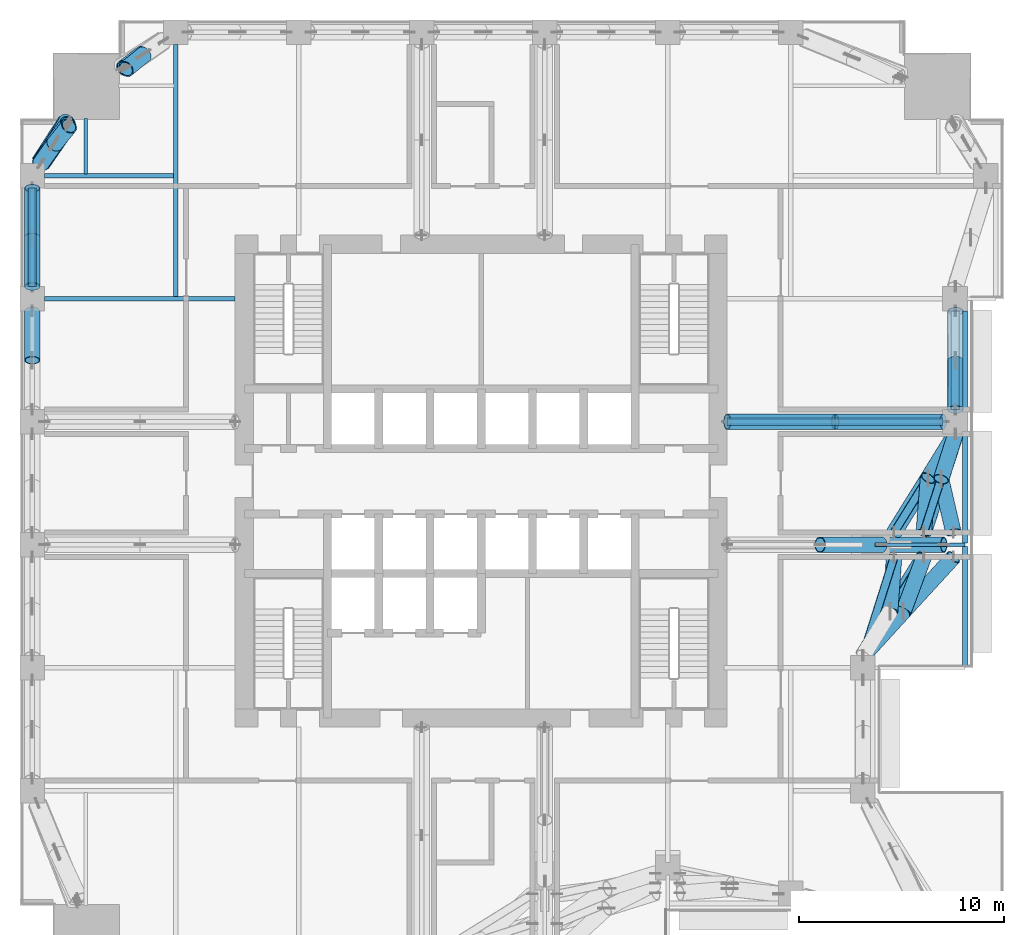
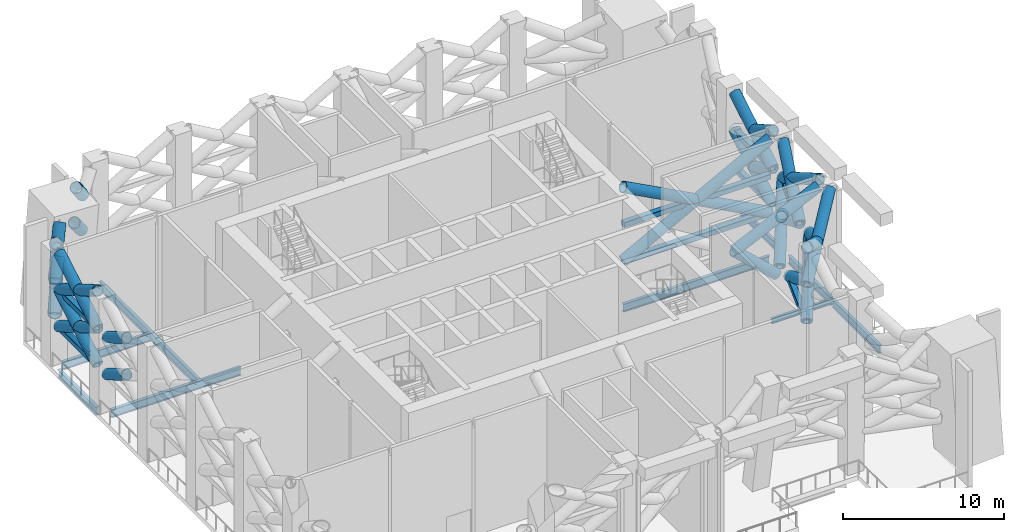
# One storey, part 4 of 18: 37 members, 22 beams.
"""IFC4 building model written with IfcOpenShell, lengths in metres."""

from ifc_helpers import new_model, si_unit, direction, frame, origin, origin_2d, place, context, subcontext, project, spatial, hollow_rectangle, hollow_circle, i_section, extrude, material, material_profile, profile_set, type_object, element, save


model = new_model("IFC4")

# Units and contexts
model_context = context("Model", 3, precision=1e-05, world=origin(), true_north=direction((0.0, 1.0)))
body_context = subcontext(model_context, "Body", "Model", "MODEL_VIEW")
ifc_project = project(units=[si_unit("LENGTHUNIT", "METRE"), si_unit("AREAUNIT", "SQUARE_METRE"), si_unit("VOLUMEUNIT", "CUBIC_METRE"), si_unit("PLANEANGLEUNIT", "RADIAN"), si_unit("MASSUNIT", "GRAM", prefix="KILO")], contexts=[model_context])

# Site, building, storey
site_placement = place(None, origin())
site = spatial("IfcSite", under=ifc_project, at=site_placement, CompositionType="ELEMENT")
building_placement = place(site_placement, origin())
building = spatial("IfcBuilding", under=site, at=building_placement, Name="Amberfall Residences", CompositionType="ELEMENT")
storey_placement = place(building_placement, frame((0.0, 0.0, 69.699951171875)))
storey = spatial("IfcBuildingStorey", under=building, at=storey_placement, Name="L19", CompositionType="ELEMENT", Elevation=69.699951171875)

# Beams
ifc_material = material(Name="Steel S355", Category="steel")
ifc_material_profile_1 = material_profile(ifc_material, hollow_circle(Radius=0.457275390625, WallThickness=0.06005859375, at=origin_2d()), Name="CHS 914.4x60")
ifc_profile_set_1 = profile_set([ifc_material_profile_1], Name="Steel S355")
beam_type_1 = type_object("IfcBeamType", Name="Belt truss chord BT CHS 914.4x60", PredefinedType="BEAM", material=ifc_profile_set_1)
beam_1_placement = place(storey_placement, frame((54.30712890625, 63.068359375, 3.0), z_axis=(-0.538906970731, -0.842365287092, 0.0), x_axis=(0.842365287092, -0.538906970731, 0.0)))
element("IfcBeam", 1, at=beam_1_placement, inside=storey, type_object=beam_type_1, Name="Belt truss chord BT2 L19 NWW", PredefinedType="BEAM", context=body_context, shape_type="SweptSolid", body=[
    extrude(hollow_circle(Radius=0.457275390625, WallThickness=0.06005859375, at=origin_2d()), origin(), (0.0, 0.0, 1.0), 2.455322265625),
])
beam_2_placement = place(storey_placement, frame((54.351806640625, 62.94677734375, 5.646484375), z_axis=(-0.566730520096, -0.823903221011, 0.0), x_axis=(0.823903221011, -0.566730520096, 0.0)))
element("IfcBeam", 2, at=beam_2_placement, inside=storey, type_object=beam_type_1, Name="Belt truss chord BT2 L19 NWWm", PredefinedType="BEAM", context=body_context, shape_type="SweptSolid", body=[
    extrude(hollow_circle(Radius=0.457275390625, WallThickness=0.06005859375, at=origin_2d()), origin(), (0.0, 0.0, 1.0), 2.36279296875),
])
ifc_material_profile_2 = material_profile(ifc_material, hollow_rectangle(XDim=0.39990234375, YDim=0.39990234375, WallThickness=0.02001953125, InnerFilletRadius=0.02001953125, OuterFilletRadius=0.030029296875, at=origin_2d()), Name="RHS 400x400x20")
ifc_profile_set_2 = profile_set([ifc_material_profile_2], Name="Steel S355")
beam_type_2 = type_object("IfcBeamType", Name="Belt truss chord BT RHS 400x400x20", PredefinedType="BEAM", material=ifc_profile_set_2)
beam_3_placement = place(storey_placement, frame((93.117431640625, 37.0, 2.900146484375), z_axis=(0.302024639724, 0.95330011906, 0.0), x_axis=(-0.95330011906, 0.302024639724, 0.0)))
element("IfcBeam", 3, at=beam_3_placement, inside=storey, type_object=beam_type_2, Name="Belt truss chord BT3 L19 E2", PredefinedType="BEAM", context=body_context, shape_type="SweptSolid", body=[
    extrude(hollow_rectangle(XDim=0.39990234375, YDim=0.39990234375, WallThickness=0.02001953125, InnerFilletRadius=0.02001953125, OuterFilletRadius=0.030029296875, at=origin_2d()), origin(), (0.0, 0.0, 1.0), 5.03515625),
])
beam_4_placement = place(storey_placement, frame((93.13232421875, 37.0, 5.699951171875), z_axis=(0.524063588716, 0.851679138515, 0.0), x_axis=(-0.851679138515, 0.524063588716, 0.0)))
element("IfcBeam", 4, at=beam_4_placement, inside=storey, type_object=beam_type_2, Name="Belt truss chord BT3 L19 E2m", PredefinedType="BEAM", context=body_context, shape_type="SweptSolid", body=[
    extrude(hollow_rectangle(XDim=0.39990234375, YDim=0.39990234375, WallThickness=0.02001953125, InnerFilletRadius=0.02001953125, OuterFilletRadius=0.030029296875, at=origin_2d()), origin(), (0.0, 0.0, 1.0), 5.635986328125),
])
beam_5_placement = place(storey_placement, frame((94.63818359375, 43.0, 2.900146484375), z_axis=(0.527351028643, 0.849647510788, 0.0), x_axis=(-0.849647510788, 0.527351028643, 0.0)))
element("IfcBeam", 5, at=beam_5_placement, inside=storey, type_object=beam_type_2, Name="Belt truss chord BT3 L19 E3", PredefinedType="BEAM", context=body_context, shape_type="SweptSolid", body=[
    extrude(hollow_rectangle(XDim=0.39990234375, YDim=0.39990234375, WallThickness=0.02001953125, InnerFilletRadius=0.02001953125, OuterFilletRadius=0.030029296875, at=origin_2d()), origin(), (0.0, 0.0, 1.0), 5.6494140625),
])
beam_6_placement = place(storey_placement, frame((96.0859375, 43.0, 5.699951171875), z_axis=(0.306640649848, 0.951825357857, 0.0), x_axis=(-0.951825357857, 0.306640649848, 0.0)))
element("IfcBeam", 6, at=beam_6_placement, inside=storey, type_object=beam_type_2, Name="Belt truss chord BT3 L19 E3m", PredefinedType="BEAM", context=body_context, shape_type="SweptSolid", body=[
    extrude(hollow_rectangle(XDim=0.39990234375, YDim=0.39990234375, WallThickness=0.02001953125, InnerFilletRadius=0.02001953125, OuterFilletRadius=0.030029296875, at=origin_2d()), origin(), (0.0, 0.0, 1.0), 5.04296875),
])
for number, where, z_axis, x_axis, name in (
    (7, (97.617431640625, 49.0, 2.900146484375), (0.0, 1.0, 0.0), (-1.0, 0.0, 0.0), "Belt truss chord BT3 L19 E4"),
    (8, (97.63232421875, 49.0, 5.699951171875), (0.0, 1.0, 0.0), (-1.0, 0.0, 0.0), "Belt truss chord BT3 L19 E4m"),
    (9, (52.60009765625, 55.0, 2.900146484375), (0.0, 1.0, 0.0), (-1.0, 0.0, 0.0), "Belt truss chord BT3 L19 W5"),
    (10, (52.60009765625, 55.0, 5.699951171875), (0.0, 1.0, 0.0), (-1.0, 0.0, 0.0), "Belt truss chord BT3 L19 W5m"),
):
    element("IfcBeam", number, at=place(storey_placement, frame(where, z_axis=z_axis, x_axis=x_axis)), inside=storey, type_object=beam_type_2, Name=name, PredefinedType="BEAM", context=body_context, shape_type="SweptSolid", body=[
        extrude(hollow_rectangle(XDim=0.39990234375, YDim=0.39990234375, WallThickness=0.02001953125, InnerFilletRadius=0.02001953125, OuterFilletRadius=0.030029296875, at=origin_2d()), origin(), (0.0, 0.0, 1.0), 4.800048828125),
    ])

# Members
ifc_material_profile_3 = material_profile(ifc_material, hollow_circle(Radius=0.381103515625, WallThickness=0.0400390625, at=origin_2d()), Name="CHS 762x40")
ifc_profile_set_3 = profile_set([ifc_material_profile_3], Name="Steel S355")
member_type_1 = type_object("IfcMemberType", Name="Belt truss diagonal BT CHS 762x40", PredefinedType="BRACE", material=ifc_profile_set_3)
member_1_placement = place(storey_placement, frame((93.117431640625, 37.0, 2.900146484375), z_axis=(0.471183083884, 0.761899055205, 0.444405593057), x_axis=(-0.850499224082, 0.525976301592, 0.0)))
element("IfcMember", 11, at=member_1_placement, inside=storey, type_object=member_type_1, Name="Belt truss diagonal BT4 L19 E2d", PredefinedType="BRACE", context=body_context, shape_type="SweptSolid", body=[
    extrude(hollow_circle(Radius=0.381103515625, WallThickness=0.0400390625, at=origin_2d()), origin(), (0.0, 0.0, 1.0), 6.300048828125),
])
member_2_placement = place(storey_placement, frame((94.444091796875, 39.145263671875, 4.1513671875), z_axis=(0.06598896036, 0.902596169755, -0.425400530623), x_axis=(-0.997338117719, 0.072915560381, 0.0)))
element("IfcMember", 12, at=member_2_placement, inside=storey, type_object=member_type_1, Name="Belt truss diagonal BT4 L19 E2e2", PredefinedType="BRACE", context=body_context, shape_type="SweptSolid", body=[
    extrude(hollow_circle(Radius=0.381103515625, WallThickness=0.0400390625, at=origin_2d()), origin(), (0.0, 0.0, 1.0), 2.941162109375),
])
member_3_placement = place(storey_placement, frame((93.13232421875, 37.0, 5.699951171875), z_axis=(0.620901027344, 0.677105502169, 0.394981079517), x_axis=(-0.737034311282, 0.67585532771, 0.0)))
element("IfcMember", 13, at=member_3_placement, inside=storey, type_object=member_type_1, Name="Belt truss diagonal BT4 L19 E2du", PredefinedType="BRACE", context=body_context, shape_type="SweptSolid", body=[
    extrude(hollow_circle(Radius=0.381103515625, WallThickness=0.0400390625, at=origin_2d()), origin(), (0.0, 0.0, 1.0), 7.089111328125),
])
member_4_placement = place(storey_placement, frame((93.1474609375, 37.0, 8.5), z_axis=(0.592821379305, 0.65146351424, -0.473453378752), x_axis=(-0.739611206734, 0.673034369756, 0.0)))
element("IfcMember", 14, at=member_4_placement, inside=storey, type_object=member_type_1, Name="Belt truss diagonal BT4 L19 E2eu", PredefinedType="BRACE", context=body_context, shape_type="SweptSolid", body=[
    extrude(hollow_circle(Radius=0.381103515625, WallThickness=0.0400390625, at=origin_2d()), origin(), (0.0, 0.0, 1.0), 3.280517578125),
])
member_5_placement = place(storey_placement, frame((95.09228515625, 39.13720703125, 6.94677734375), z_axis=(0.32015599642, 0.857970872961, -0.401728912461), x_axis=(-0.936896293929, 0.349607400412, 0.0)))
element("IfcMember", 15, at=member_5_placement, inside=storey, type_object=member_type_1, Name="Belt truss diagonal BT4 L19 E2e2u", PredefinedType="BRACE", context=body_context, shape_type="SweptSolid", body=[
    extrude(hollow_circle(Radius=0.381103515625, WallThickness=0.0400390625, at=origin_2d()), origin(), (0.0, 0.0, 1.0), 3.103759765625),
])
member_6_placement = place(storey_placement, frame((94.63818359375, 43.0, 2.900146484375), z_axis=(0.47433956248, 0.760436247384, 0.443552356696), x_axis=(-0.848465887578, 0.529250070966, 0.0)))
element("IfcMember", 16, at=member_6_placement, inside=storey, type_object=member_type_1, Name="Belt truss diagonal BT4 L19 E3d", PredefinedType="BRACE", context=body_context, shape_type="SweptSolid", body=[
    extrude(hollow_circle(Radius=0.381103515625, WallThickness=0.0400390625, at=origin_2d()), origin(), (0.0, 0.0, 1.0), 6.312255859375),
])
member_7_placement = place(storey_placement, frame((96.0859375, 43.0, 5.699951171875), z_axis=(0.070854397795, 0.902356475894, -0.425126386767), x_axis=(-0.996931368583, 0.078280561674, 0.0)))
element("IfcMember", 17, at=member_7_placement, inside=storey, type_object=member_type_1, Name="Belt truss diagonal BT4 L19 E3e", PredefinedType="BRACE", context=body_context, shape_type="SweptSolid", body=[
    extrude(hollow_circle(Radius=0.381103515625, WallThickness=0.0400390625, at=origin_2d()), origin(), (0.0, 0.0, 1.0), 2.942626953125),
])
member_8_placement = place(storey_placement, frame((96.29443359375, 45.6552734375, 4.448974609375), z_axis=(0.447274041732, 0.725097334678, -0.523621797518), x_axis=(-0.851102330005, 0.524999832248, 0.0)))
element("IfcMember", 18, at=member_8_placement, inside=storey, type_object=member_type_1, Name="Belt truss diagonal BT4 L19 E3e2", PredefinedType="BRACE", context=body_context, shape_type="SweptSolid", body=[
    extrude(hollow_circle(Radius=0.381103515625, WallThickness=0.0400390625, at=origin_2d()), origin(), (0.0, 0.0, 1.0), 2.9580078125),
])
member_9_placement = place(storey_placement, frame((96.0859375, 43.0, 5.699951171875), z_axis=(0.270521565203, 0.831570433624, 0.485086277566), x_axis=(-0.950946236771, 0.309356194008, 0.0)))
element("IfcMember", 19, at=member_9_placement, inside=storey, type_object=member_type_1, Name="Belt truss diagonal BT4 L19 E3du", PredefinedType="BRACE", context=body_context, shape_type="SweptSolid", body=[
    extrude(hollow_circle(Radius=0.381103515625, WallThickness=0.0400390625, at=origin_2d()), origin(), (0.0, 0.0, 1.0), 5.772216796875),
])
member_10_placement = place(storey_placement, frame((97.533935546875, 43.0, 8.5), z_axis=(-0.202962322535, 0.878432138945, -0.432623708204), x_axis=(-0.974331082951, -0.225119836521, 0.0)))
element("IfcMember", 20, at=member_10_placement, inside=storey, type_object=member_type_1, Name="Belt truss diagonal BT4 L19 E3eu", PredefinedType="BRACE", context=body_context, shape_type="SweptSolid", body=[
    extrude(hollow_circle(Radius=0.381103515625, WallThickness=0.0400390625, at=origin_2d()), origin(), (0.0, 0.0, 1.0), 2.962646484375),
])
member_11_placement = place(storey_placement, frame((96.9326171875, 45.6025390625, 7.21826171875), z_axis=(0.25341217193, 0.795869839337, -0.549884960653), x_axis=(-0.952863195924, 0.303400279915, 0.0)))
element("IfcMember", 21, at=member_11_placement, inside=storey, type_object=member_type_1, Name="Belt truss diagonal BT4 L19 E3e2u", PredefinedType="BRACE", context=body_context, shape_type="SweptSolid", body=[
    extrude(hollow_circle(Radius=0.381103515625, WallThickness=0.0400390625, at=origin_2d()), origin(), (0.0, 0.0, 1.0), 2.76123046875),
])
member_12_placement = place(storey_placement, frame((97.617431640625, 49.0, 2.900146484375), z_axis=(0.002679995571, 0.863793326591, 0.503839167354), x_axis=(-0.999995187006, 0.003102573949, 0.0)))
element("IfcMember", 22, at=member_12_placement, inside=storey, type_object=member_type_1, Name="Belt truss diagonal BT4 L19 E4d", PredefinedType="BRACE", context=body_context, shape_type="SweptSolid", body=[
    extrude(hollow_circle(Radius=0.381103515625, WallThickness=0.0400390625, at=origin_2d()), origin(), (0.0, 0.0, 1.0), 5.556884765625),
])
member_13_placement = place(storey_placement, frame((97.63232421875, 49.0, 5.699951171875), z_axis=(-0.002724032978, 0.863782070187, -0.503858228937), x_axis=(-0.999995027405, -0.003153595712, 0.0)))
element("IfcMember", 23, at=member_13_placement, inside=storey, type_object=member_type_1, Name="Belt truss diagonal BT4 L19 E4e", PredefinedType="BRACE", context=body_context, shape_type="SweptSolid", body=[
    extrude(hollow_circle(Radius=0.381103515625, WallThickness=0.0400390625, at=origin_2d()), origin(), (0.0, 0.0, 1.0), 2.7783203125),
])
member_14_placement = place(storey_placement, frame((97.63232421875, 49.0, 5.699951171875), z_axis=(0.002723869304, 0.863774103061, 0.5038718879), x_axis=(-0.99999502791, 0.003153435315, 0.0)))
element("IfcMember", 24, at=member_14_placement, inside=storey, type_object=member_type_1, Name="Belt truss diagonal BT4 L19 E4du", PredefinedType="BRACE", context=body_context, shape_type="SweptSolid", body=[
    extrude(hollow_circle(Radius=0.381103515625, WallThickness=0.0400390625, at=origin_2d()), origin(), (0.0, 0.0, 1.0), 5.55712890625),
])
member_15_placement = place(storey_placement, frame((97.6474609375, 49.0, 8.5), z_axis=(-0.002724032978, 0.863782070187, -0.503858228937), x_axis=(-0.999995027405, -0.003153595712, 0.0)))
element("IfcMember", 25, at=member_15_placement, inside=storey, type_object=member_type_1, Name="Belt truss diagonal BT4 L19 E4eu", PredefinedType="BRACE", context=body_context, shape_type="SweptSolid", body=[
    extrude(hollow_circle(Radius=0.381103515625, WallThickness=0.0400390625, at=origin_2d()), origin(), (0.0, 0.0, 1.0), 2.7783203125),
])
member_16_placement = place(storey_placement, frame((52.60009765625, 51.39990234375, 4.300048828125), z_axis=(0.0, 0.863807581045, -0.503821856343), x_axis=(-1.0, 0.0, 0.0)))
element("IfcMember", 26, at=member_16_placement, inside=storey, type_object=member_type_1, Name="Belt truss diagonal BT4 L19 W4e2", PredefinedType="BRACE", context=body_context, shape_type="SweptSolid", body=[
    extrude(hollow_circle(Radius=0.381103515625, WallThickness=0.0400390625, at=origin_2d()), origin(), (0.0, 0.0, 1.0), 2.778564453125),
])
member_17_placement = place(storey_placement, frame((52.60009765625, 51.39990234375, 7.10009765625), z_axis=(0.0, 0.863769340651, -0.503887414163), x_axis=(-1.0, 0.0, 0.0)))
element("IfcMember", 27, at=member_17_placement, inside=storey, type_object=member_type_1, Name="Belt truss diagonal BT4 L19 W4e2u", PredefinedType="BRACE", context=body_context, shape_type="SweptSolid", body=[
    extrude(hollow_circle(Radius=0.381103515625, WallThickness=0.0400390625, at=origin_2d()), origin(), (0.0, 0.0, 1.0), 2.77880859375),
])
member_18_placement = place(storey_placement, frame((52.60009765625, 55.0, 2.900146484375), z_axis=(0.0, 0.863796428652, 0.503840976745), x_axis=(-1.0, 0.0, 0.0)))
element("IfcMember", 28, at=member_18_placement, inside=storey, type_object=member_type_1, Name="Belt truss diagonal BT4 L19 W5d", PredefinedType="BRACE", context=body_context, shape_type="SweptSolid", body=[
    extrude(hollow_circle(Radius=0.381103515625, WallThickness=0.0400390625, at=origin_2d()), origin(), (0.0, 0.0, 1.0), 5.556884765625),
])
member_19_placement = place(storey_placement, frame((52.60009765625, 55.0, 5.699951171875), z_axis=(0.0, 0.86378527499, -0.503860098351), x_axis=(-1.0, 0.0, 0.0)))
element("IfcMember", 29, at=member_19_placement, inside=storey, type_object=member_type_1, Name="Belt truss diagonal BT4 L19 W5e", PredefinedType="BRACE", context=body_context, shape_type="SweptSolid", body=[
    extrude(hollow_circle(Radius=0.381103515625, WallThickness=0.0400390625, at=origin_2d()), origin(), (0.0, 0.0, 1.0), 2.7783203125),
])
member_20_placement = place(storey_placement, frame((52.60009765625, 57.39990234375, 4.300048828125), z_axis=(0.0, 0.863807581045, -0.503821856343), x_axis=(-1.0, 0.0, 0.0)))
element("IfcMember", 30, at=member_20_placement, inside=storey, type_object=member_type_1, Name="Belt truss diagonal BT4 L19 W5e2", PredefinedType="BRACE", context=body_context, shape_type="SweptSolid", body=[
    extrude(hollow_circle(Radius=0.381103515625, WallThickness=0.0400390625, at=origin_2d()), origin(), (0.0, 0.0, 1.0), 2.778564453125),
])
member_21_placement = place(storey_placement, frame((52.60009765625, 55.0, 5.699951171875), z_axis=(0.0, 0.86377730745, 0.503873757141), x_axis=(-1.0, 0.0, 0.0)))
element("IfcMember", 31, at=member_21_placement, inside=storey, type_object=member_type_1, Name="Belt truss diagonal BT4 L19 W5du", PredefinedType="BRACE", context=body_context, shape_type="SweptSolid", body=[
    extrude(hollow_circle(Radius=0.381103515625, WallThickness=0.0400390625, at=origin_2d()), origin(), (0.0, 0.0, 1.0), 5.55712890625),
])
member_22_placement = place(storey_placement, frame((52.60009765625, 55.0, 8.5), z_axis=(0.0, 0.86378527499, -0.503860098351), x_axis=(-1.0, 0.0, 0.0)))
element("IfcMember", 32, at=member_22_placement, inside=storey, type_object=member_type_1, Name="Belt truss diagonal BT4 L19 W5eu", PredefinedType="BRACE", context=body_context, shape_type="SweptSolid", body=[
    extrude(hollow_circle(Radius=0.381103515625, WallThickness=0.0400390625, at=origin_2d()), origin(), (0.0, 0.0, 1.0), 2.7783203125),
])
member_23_placement = place(storey_placement, frame((52.60009765625, 57.39990234375, 7.10009765625), z_axis=(0.0, 0.863769340651, -0.503887414163), x_axis=(-1.0, 0.0, 0.0)))
element("IfcMember", 33, at=member_23_placement, inside=storey, type_object=member_type_1, Name="Belt truss diagonal BT4 L19 W5e2u", PredefinedType="BRACE", context=body_context, shape_type="SweptSolid", body=[
    extrude(hollow_circle(Radius=0.381103515625, WallThickness=0.0400390625, at=origin_2d()), origin(), (0.0, 0.0, 1.0), 2.77880859375),
])
ifc_material_profile_4 = material_profile(ifc_material, hollow_circle(Radius=0.406494140625, WallThickness=0.050048828125, at=origin_2d()), Name="CHS 813x50")
ifc_profile_set_4 = profile_set([ifc_material_profile_4], Name="Steel S355")
member_type_2 = type_object("IfcMemberType", Name="Belt truss diagonal BT CHS 813x50", PredefinedType="BRACE", material=ifc_profile_set_4)
member_24_placement = place(storey_placement, frame((57.05322265625, 65.648193359375, 5.646484375), z_axis=(0.534169853105, 0.403458308312, -0.742888929442), x_axis=(-0.602703091583, 0.797965527699, 0.0)))
element("IfcMember", 34, at=member_24_placement, inside=storey, type_object=member_type_2, Name="Belt truss diagonal BT5 L19 NWNe", PredefinedType="BRACE", context=body_context, shape_type="SweptSolid", body=[
    extrude(hollow_circle(Radius=0.406494140625, WallThickness=0.050048828125, at=origin_2d()), origin(), (0.0, 0.0, 1.0), 1.746337890625),
])
member_25_placement = place(storey_placement, frame((57.172607421875, 65.60888671875, 8.29296875), z_axis=(0.509091811137, 0.412054188108, -0.75566981804), x_axis=(-0.629135732072, 0.777295459031, 0.0)))
element("IfcMember", 35, at=member_25_placement, inside=storey, type_object=member_type_2, Name="Belt truss diagonal BT5 L19 NWNeu", PredefinedType="BRACE", context=body_context, shape_type="SweptSolid", body=[
    extrude(hollow_circle(Radius=0.406494140625, WallThickness=0.050048828125, at=origin_2d()), origin(), (0.0, 0.0, 1.0), 1.7158203125),
])
member_26_placement = place(storey_placement, frame((54.30712890625, 63.068359375, 3.0), z_axis=(-0.359598901103, -0.574598621302, 0.735204090524), x_axis=(0.847683368195, -0.530502504505, 0.0)))
element("IfcMember", 36, at=member_26_placement, inside=storey, type_object=member_type_2, Name="Belt truss diagonal BT5 L19 NWWd", PredefinedType="BRACE", context=body_context, shape_type="SweptSolid", body=[
    extrude(hollow_circle(Radius=0.406494140625, WallThickness=0.050048828125, at=origin_2d()), origin(), (0.0, 0.0, 1.0), 3.599609375),
])
member_27_placement = place(storey_placement, frame((54.351806640625, 62.94677734375, 5.646484375), z_axis=(-0.403458308312, -0.534169853105, -0.742888929442), x_axis=(0.797965527699, -0.602703091583, 0.0)))
element("IfcMember", 37, at=member_27_placement, inside=storey, type_object=member_type_2, Name="Belt truss diagonal BT5 L19 NWWe", PredefinedType="BRACE", context=body_context, shape_type="SweptSolid", body=[
    extrude(hollow_circle(Radius=0.406494140625, WallThickness=0.050048828125, at=origin_2d()), origin(), (0.0, 0.0, 1.0), 1.746337890625),
])
member_28_placement = place(storey_placement, frame((53.647216796875, 62.013916015625, 4.34912109375), z_axis=(-0.365808005866, -0.559146355673, -0.744002591247), x_axis=(0.836824045946, -0.547471931817, 0.0)))
element("IfcMember", 38, at=member_28_placement, inside=storey, type_object=member_type_2, Name="Belt truss diagonal BT5 L19 NWWe2", PredefinedType="BRACE", context=body_context, shape_type="SweptSolid", body=[
    extrude(hollow_circle(Radius=0.406494140625, WallThickness=0.050048828125, at=origin_2d()), origin(), (0.0, 0.0, 1.0), 1.813232421875),
])
member_29_placement = place(storey_placement, frame((54.351806640625, 62.94677734375, 5.646484375), z_axis=(-0.370153026686, -0.550466287727, 0.74831383985), x_axis=(0.829834260877, -0.558009945677, 0.0)))
element("IfcMember", 39, at=member_29_placement, inside=storey, type_object=member_type_2, Name="Belt truss diagonal BT5 L19 NWWdu", PredefinedType="BRACE", context=body_context, shape_type="SweptSolid", body=[
    extrude(hollow_circle(Radius=0.406494140625, WallThickness=0.050048828125, at=origin_2d()), origin(), (0.0, 0.0, 1.0), 3.53662109375),
])
member_30_placement = place(storey_placement, frame((54.39111328125, 62.827392578125, 8.29296875), z_axis=(-0.412054188108, -0.509091811137, -0.75566981804), x_axis=(0.777295459031, -0.629135732072, 0.0)))
element("IfcMember", 40, at=member_30_placement, inside=storey, type_object=member_type_2, Name="Belt truss diagonal BT5 L19 NWWeu", PredefinedType="BRACE", context=body_context, shape_type="SweptSolid", body=[
    extrude(hollow_circle(Radius=0.406494140625, WallThickness=0.050048828125, at=origin_2d()), origin(), (0.0, 0.0, 1.0), 1.7158203125),
])
member_31_placement = place(storey_placement, frame((53.68408203125, 61.953857421875, 6.996337890625), z_axis=(-0.376334735746, -0.534669022749, -0.756638092342), x_axis=(0.81774439192, -0.575581540256, 0.0)))
element("IfcMember", 41, at=member_31_placement, inside=storey, type_object=member_type_2, Name="Belt truss diagonal BT5 L19 NWWe2u", PredefinedType="BRACE", context=body_context, shape_type="SweptSolid", body=[
    extrude(hollow_circle(Radius=0.406494140625, WallThickness=0.050048828125, at=origin_2d()), origin(), (0.0, 0.0, 1.0), 1.783935546875),
])

# Beams
ifc_material_profile_5 = material_profile(ifc_material, i_section(OverallWidth=0.177734375, OverallDepth=0.402587890625, WebThickness=0.0078125, FlangeThickness=0.010986328125, FilletRadius=0.01025390625, at=origin_2d()), Name="UB 406x178x54")
ifc_profile_set_5 = profile_set([ifc_material_profile_5], Name="Steel S355")
beam_type_3 = type_object("IfcBeamType", Name="Cantilever girder UB 406x178x54", PredefinedType="BEAM", material=ifc_profile_set_5)
beam_7_placement = place(storey_placement, frame((93.699951171875, 42.39990234375, -0.55126953125), z_axis=(1.0, 0.0, 0.0), x_axis=(0.0, 1.0, 0.0)))
element("IfcBeam", 42, at=beam_7_placement, inside=storey, type_object=beam_type_3, Name="Cantilever girder B9 L19 21", PredefinedType="BEAM", context=body_context, shape_type="SweptSolid", body=[
    extrude(i_section(OverallWidth=0.177734375, OverallDepth=0.402587890625, WebThickness=0.0078125, FlangeThickness=0.010986328125, FilletRadius=0.01025390625, at=origin_2d()), origin(), (0.0, 0.0, 1.0), 4.400146484375),
])
ifc_material_profile_6 = material_profile(ifc_material, i_section(OverallWidth=0.228271484375, OverallDepth=0.607666015625, WebThickness=0.010986328125, FlangeThickness=0.017333984375, FilletRadius=0.0126953125, at=origin_2d()), Name="UB 610x229x113")
ifc_profile_set_6 = profile_set([ifc_material_profile_6], Name="Steel S355")
beam_type_4 = type_object("IfcBeamType", Name="Edge beam UB 610x229x113", PredefinedType="SPANDREL", material=ifc_profile_set_6)
beam_8_placement = place(storey_placement, frame((98.10009765625, 36.47998046875, -0.65380859375), z_axis=(0.0, 1.0, 0.0), x_axis=(-1.0, 0.0, 0.0)))
element("IfcBeam", 43, at=beam_8_placement, inside=storey, type_object=beam_type_4, Name="Edge beam B12 L19 16", PredefinedType="SPANDREL", context=body_context, shape_type="SweptSolid", body=[
    extrude(i_section(OverallWidth=0.228271484375, OverallDepth=0.607666015625, WebThickness=0.010986328125, FlangeThickness=0.017333984375, FilletRadius=0.0126953125, at=origin_2d()), origin(), (0.0, 0.0, 1.0), 5.840087890625),
])
beam_9_placement = place(storey_placement, frame((98.10009765625, 42.47998046875, -0.65380859375), z_axis=(0.0, 1.0, 0.0), x_axis=(-1.0, 0.0, 0.0)))
element("IfcBeam", 44, at=beam_9_placement, inside=storey, type_object=beam_type_4, Name="Edge beam B12 L19 17", PredefinedType="SPANDREL", context=body_context, shape_type="SweptSolid", body=[
    extrude(i_section(OverallWidth=0.228271484375, OverallDepth=0.607666015625, WebThickness=0.010986328125, FlangeThickness=0.017333984375, FilletRadius=0.0126953125, at=origin_2d()), origin(), (0.0, 0.0, 1.0), 5.320068359375),
])
for number, where, z_axis, x_axis, name in (
    (45, (98.10009765625, 49.0, -0.65380859375), (0.0, 1.0, 0.0), (-1.0, 0.0, 0.0), "Edge beam B12 L19 18"),
    (46, (52.60009765625, 55.0, -0.65380859375), (0.0, 1.0, 0.0), (-1.0, 0.0, 0.0), "Edge beam B12 L19 44"),
):
    element("IfcBeam", number, at=place(storey_placement, frame(where, z_axis=z_axis, x_axis=x_axis)), inside=storey, type_object=beam_type_4, Name=name, PredefinedType="SPANDREL", context=body_context, shape_type="SweptSolid", body=[
        extrude(i_section(OverallWidth=0.228271484375, OverallDepth=0.607666015625, WebThickness=0.010986328125, FlangeThickness=0.017333984375, FilletRadius=0.0126953125, at=origin_2d()), origin(), (0.0, 0.0, 1.0), 4.800048828125),
    ])
ifc_material_profile_7 = material_profile(ifc_material, i_section(OverallWidth=0.230224609375, OverallDepth=0.6171875, WebThickness=0.01318359375, FlangeThickness=0.022216796875, FilletRadius=0.0126953125, at=origin_2d()), Name="UB 610x229x140")
ifc_profile_set_7 = profile_set([ifc_material_profile_7], Name="Steel S355")
beam_type_5 = type_object("IfcBeamType", Name="Floor girder UB 610x229x140", PredefinedType="BEAM", material=ifc_profile_set_7)
beam_10_placement = place(storey_placement, frame((97.0, 48.39990234375, -0.658447265625), z_axis=(-1.0, 0.0, 0.0), x_axis=(0.0, -1.0, 0.0)))
element("IfcBeam", 47, at=beam_10_placement, inside=storey, type_object=beam_type_5, Name="Floor girder B13 L19 26", PredefinedType="BEAM", context=body_context, shape_type="SweptSolid", body=[
    extrude(i_section(OverallWidth=0.230224609375, OverallDepth=0.6171875, WebThickness=0.01318359375, FlangeThickness=0.022216796875, FilletRadius=0.0126953125, at=origin_2d()), origin(), (0.0, 0.0, 1.0), 10.5),
])
beam_11_placement = place(storey_placement, frame((59.60009765625, 66.800048828125, -0.658447265625), z_axis=(0.0, -1.0, 0.0), x_axis=(1.0, 0.0, 0.0)))
element("IfcBeam", 48, at=beam_11_placement, inside=storey, type_object=beam_type_5, Name="Floor girder B13 L19 34", PredefinedType="BEAM", context=body_context, shape_type="SweptSolid", body=[
    extrude(i_section(OverallWidth=0.230224609375, OverallDepth=0.6171875, WebThickness=0.01318359375, FlangeThickness=0.022216796875, FilletRadius=0.0126953125, at=origin_2d()), origin(), (0.0, 0.0, 1.0), 12.2900390625),
])
beam_12_placement = place(storey_placement, frame((53.199951171875, 54.39990234375, -0.658447265625), z_axis=(1.0, 0.0, 0.0), x_axis=(0.0, 1.0, 0.0)))
element("IfcBeam", 49, at=beam_12_placement, inside=storey, type_object=beam_type_5, Name="Floor girder B13 L19 49", PredefinedType="BEAM", context=body_context, shape_type="SweptSolid", body=[
    extrude(i_section(OverallWidth=0.230224609375, OverallDepth=0.6171875, WebThickness=0.01318359375, FlangeThickness=0.022216796875, FilletRadius=0.0126953125, at=origin_2d()), origin(), (0.0, 0.0, 1.0), 9.300048828125),
])
beam_13_placement = place(storey_placement, frame((53.199951171875, 60.39990234375, -0.658447265625), z_axis=(1.0, 0.0, 0.0), x_axis=(0.0, 1.0, 0.0)))
element("IfcBeam", 50, at=beam_13_placement, inside=storey, type_object=beam_type_5, Name="Floor girder B13 L19 50", PredefinedType="BEAM", context=body_context, shape_type="SweptSolid", body=[
    extrude(i_section(OverallWidth=0.230224609375, OverallDepth=0.6171875, WebThickness=0.01318359375, FlangeThickness=0.022216796875, FilletRadius=0.0126953125, at=origin_2d()), origin(), (0.0, 0.0, 1.0), 6.280029296875),
])
ifc_material_profile_8 = material_profile(ifc_material, i_section(OverallWidth=0.171142578125, OverallDepth=0.351318359375, WebThickness=0.007080078125, FlangeThickness=0.009765625, FilletRadius=0.01025390625, at=origin_2d()), Name="UB 356x171x45")
ifc_profile_set_8 = profile_set([ifc_material_profile_8], Name="Steel S355")
beam_type_6 = type_object("IfcBeamType", Name="Link beam UB 356x171x45", PredefinedType="BEAM", material=ifc_profile_set_8)
beam_14_placement = place(storey_placement, frame((55.199951171875, 63.199951171875, -0.525634765625), z_axis=(0.0, -1.0, 0.0), x_axis=(1.0, 0.0, 0.0)))
element("IfcBeam", 51, at=beam_14_placement, inside=storey, type_object=beam_type_6, Name="Link beam B7 L19 58", PredefinedType="BEAM", context=body_context, shape_type="SweptSolid", body=[
    extrude(i_section(OverallWidth=0.171142578125, OverallDepth=0.351318359375, WebThickness=0.007080078125, FlangeThickness=0.009765625, FilletRadius=0.01025390625, at=origin_2d()), origin(), (0.0, 0.0, 1.0), 2.720947265625),
])
ifc_material_profile_9 = material_profile(ifc_material, hollow_rectangle(XDim=0.39990234375, YDim=0.39990234375, WallThickness=0.02001953125, InnerFilletRadius=0.02001953125, OuterFilletRadius=0.030029296875, at=origin_2d()), Name="RHS 400x400x20")
ifc_profile_set_9 = profile_set([ifc_material_profile_9], Name="Steel S355")
beam_type_7 = type_object("IfcBeamType", Name="Outrigger truss chord OT RHS 400x400x20", PredefinedType="BEAM", material=ifc_profile_set_9)
beam_15_placement = place(storey_placement, frame((97.017333984375, 48.39990234375, 2.900146484375), z_axis=(-1.0, 0.0, 0.0), x_axis=(0.0, -1.0, 0.0)))
element("IfcBeam", 52, at=beam_15_placement, inside=storey, type_object=beam_type_7, Name="Outrigger truss chord OT2 L19 8", PredefinedType="BEAM", context=body_context, shape_type="SweptSolid", body=[
    extrude(hollow_rectangle(XDim=0.39990234375, YDim=0.39990234375, WallThickness=0.02001953125, InnerFilletRadius=0.02001953125, OuterFilletRadius=0.030029296875, at=origin_2d()), origin(), (0.0, 0.0, 1.0), 10.517333984375),
])
beam_16_placement = place(storey_placement, frame((97.032470703125, 48.39990234375, 5.699951171875), z_axis=(-1.0, 0.0, 0.0), x_axis=(0.0, -1.0, 0.0)))
element("IfcBeam", 53, at=beam_16_placement, inside=storey, type_object=beam_type_7, Name="Outrigger truss chord OT2 L19 8m", PredefinedType="BEAM", context=body_context, shape_type="SweptSolid", body=[
    extrude(hollow_rectangle(XDim=0.39990234375, YDim=0.39990234375, WallThickness=0.02001953125, InnerFilletRadius=0.02001953125, OuterFilletRadius=0.030029296875, at=origin_2d()), origin(), (0.0, 0.0, 1.0), 10.532470703125),
])

# Members
ifc_material_profile_10 = material_profile(ifc_material, hollow_circle(Radius=0.381103515625, WallThickness=0.0400390625, at=origin_2d()), Name="CHS 762x40")
ifc_profile_set_10 = profile_set([ifc_material_profile_10], Name="Steel S355")
member_type_3 = type_object("IfcMemberType", Name="Outrigger truss diagonal OT CHS 762x40", PredefinedType="BRACE", material=ifc_profile_set_10)
member_32_placement = place(storey_placement, frame((94.0380859375, 42.39990234375, 2.900146484375), z_axis=(-0.732514352125, 0.0, 0.680751587534), x_axis=(0.0, -1.0, 0.0)))
element("IfcMember", 54, at=member_32_placement, inside=storey, type_object=member_type_3, Name="Outrigger truss diagonal OT3 L19 7.1", PredefinedType="BRACE", context=body_context, shape_type="SweptSolid", body=[
    extrude(hollow_circle(Radius=0.381103515625, WallThickness=0.0400390625, at=origin_2d()), origin(), (0.0, 0.0, 1.0), 4.11279296875),
])
member_33_placement = place(storey_placement, frame((97.063232421875, 42.39990234375, 8.5), z_axis=(-0.907194524547, 0.0, -0.420711414906), x_axis=(0.0, -1.0, 0.0)))
element("IfcMember", 55, at=member_33_placement, inside=storey, type_object=member_type_3, Name="Outrigger truss diagonal OT3 L19 7.1u", PredefinedType="BRACE", context=body_context, shape_type="SweptSolid", body=[
    extrude(hollow_circle(Radius=0.381103515625, WallThickness=0.0400390625, at=origin_2d()), origin(), (0.0, 0.0, 1.0), 6.655517578125),
])
member_34_placement = place(storey_placement, frame((97.017333984375, 48.39990234375, 2.900146484375), z_axis=(-0.882393824095, 0.0, 0.470511571801), x_axis=(0.0, -1.0, 0.0)))
element("IfcMember", 56, at=member_34_placement, inside=storey, type_object=member_type_3, Name="Outrigger truss diagonal OT3 L19 8.1", PredefinedType="BRACE", context=body_context, shape_type="SweptSolid", body=[
    extrude(hollow_circle(Radius=0.381103515625, WallThickness=0.0400390625, at=origin_2d()), origin(), (0.0, 0.0, 1.0), 5.950439453125),
])
member_35_placement = place(storey_placement, frame((91.7666015625, 48.39990234375, 5.699951171875), z_axis=(-0.882982132955, 0.0, -0.469406596548), x_axis=(0.0, -1.0, 0.0)))
element("IfcMember", 57, at=member_35_placement, inside=storey, type_object=member_type_3, Name="Outrigger truss diagonal OT3 L19 8.2", PredefinedType="BRACE", context=body_context, shape_type="SweptSolid", body=[
    extrude(hollow_circle(Radius=0.381103515625, WallThickness=0.0400390625, at=origin_2d()), origin(), (0.0, 0.0, 1.0), 5.964599609375),
])
member_36_placement = place(storey_placement, frame((97.048583984375, 48.39990234375, 8.5), z_axis=(-0.883531497325, 0.0, -0.468371746837), x_axis=(0.0, -1.0, 0.0)))
element("IfcMember", 58, at=member_36_placement, inside=storey, type_object=member_type_3, Name="Outrigger truss diagonal OT3 L19 8.1u", PredefinedType="BRACE", context=body_context, shape_type="SweptSolid", body=[
    extrude(hollow_circle(Radius=0.381103515625, WallThickness=0.0400390625, at=origin_2d()), origin(), (0.0, 0.0, 1.0), 5.978271484375),
])
member_37_placement = place(storey_placement, frame((91.7666015625, 48.39990234375, 5.699951171875), z_axis=(-0.882965167363, 0.0, 0.469438508459), x_axis=(0.0, -1.0, 0.0)))
element("IfcMember", 59, at=member_37_placement, inside=storey, type_object=member_type_3, Name="Outrigger truss diagonal OT3 L19 8.2u", PredefinedType="BRACE", context=body_context, shape_type="SweptSolid", body=[
    extrude(hollow_circle(Radius=0.381103515625, WallThickness=0.0400390625, at=origin_2d()), origin(), (0.0, 0.0, 1.0), 5.964599609375),
])

save(model, "model.ifc")
